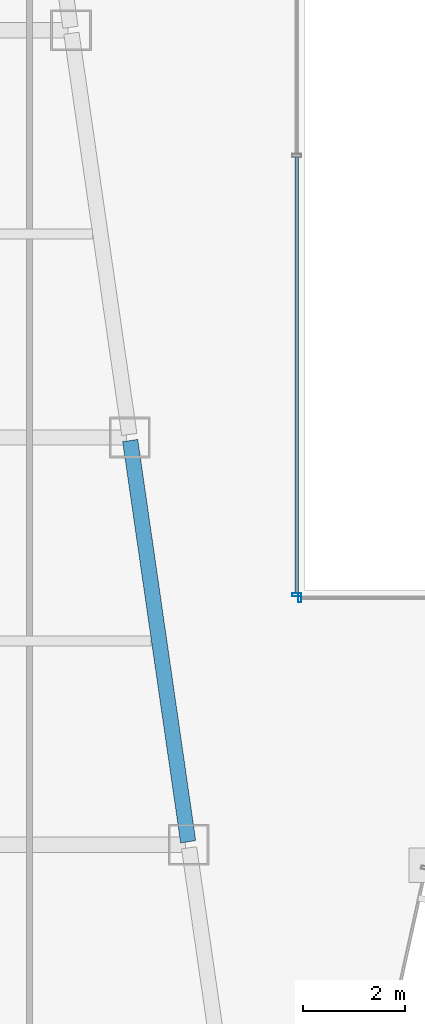
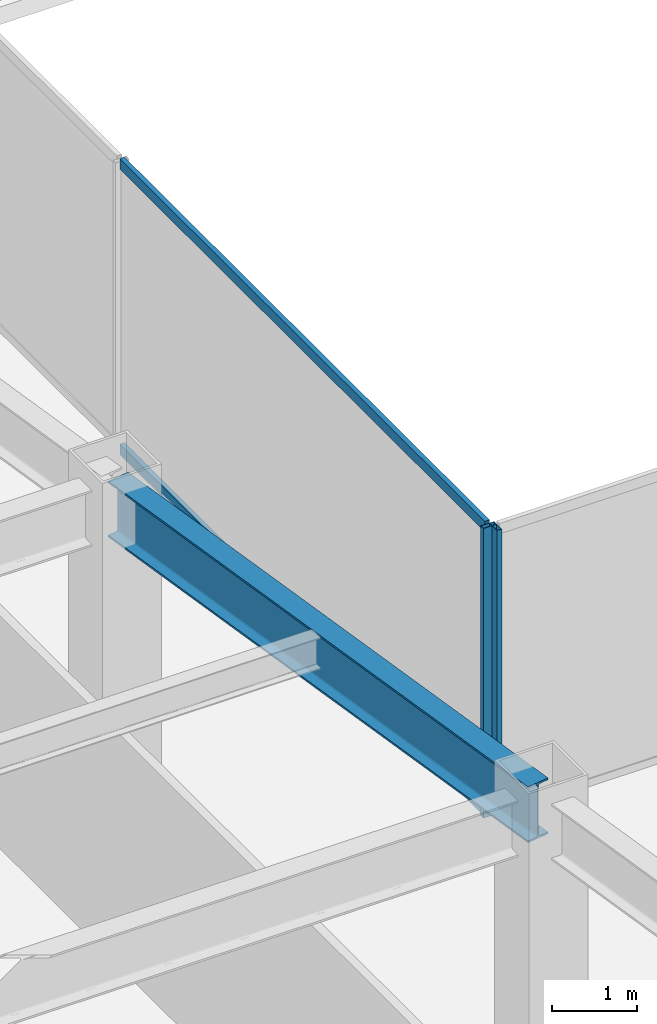
# One storey, part 12 of 47: 4 members, 1 beam, 2 elements without a shape of their own.
"""IFC4 building model written with IfcOpenShell, lengths in metres."""

from ifc_helpers import new_model, si_unit, direction, frame, origin, origin_2d, place, context, subcontext, project, spatial, hollow_rectangle, i_section, extrude, material, material_profile, profile_set, type_object, element, aggregate, save


model = new_model("IFC4")

# Units and contexts
model_context = context("Model", 3, precision=1e-05, world=origin(), true_north=direction((0.0, 1.0)))
body_context = subcontext(model_context, "Body", "Model", "MODEL_VIEW")
ifc_project = project(units=[si_unit("LENGTHUNIT", "METRE"), si_unit("AREAUNIT", "SQUARE_METRE"), si_unit("VOLUMEUNIT", "CUBIC_METRE"), si_unit("PLANEANGLEUNIT", "RADIAN"), si_unit("MASSUNIT", "GRAM", prefix="KILO")], contexts=[model_context])

# Site, building, storey
site_placement = place(None, origin())
site = spatial("IfcSite", under=ifc_project, at=site_placement, CompositionType="ELEMENT")
building_placement = place(site_placement, origin())
building = spatial("IfcBuilding", under=site, at=building_placement, Name="Saevonmaru Cultural Tower", CompositionType="ELEMENT")
storey_placement = place(building_placement, frame((0.0, 0.0, 42.800048828125)))
storey = spatial("IfcBuildingStorey", under=building, at=storey_placement, Name="L08", CompositionType="ELEMENT", Elevation=42.800048828125)

# Beam
ifc_material_1 = material(Name="Steel SM420", Category="steel")
ifc_material_profile_1 = material_profile(ifc_material_1, i_section(OverallWidth=0.300048828125, OverallDepth=0.800048828125, WebThickness=0.013916015625, FlangeThickness=0.02587890625, FilletRadius=0.028076171875, at=origin_2d()), Name="H-800x300x14x26")
ifc_profile_set_1 = profile_set([ifc_material_profile_1], Name="Steel SM420")
beam_type = type_object("IfcBeamType", Name="BM-G-H800", PredefinedType="BEAM", material=ifc_profile_set_1)
beam_placement = place(storey_placement, frame((21.91943359375, 16.059326171875, 3.75), z_axis=(-0.143022161059, 0.989719486241, 0.0), x_axis=(-0.989719486241, -0.143022161059, 0.0)))
element("IfcBeam", 1, at=beam_placement, inside=storey, type_object=beam_type, Name="L08 West Atrium Girder 3", PredefinedType="BEAM", context=body_context, shape_type="SweptSolid", body=[
    extrude(i_section(OverallWidth=0.300048828125, OverallDepth=0.800048828125, WebThickness=0.013916015625, FlangeThickness=0.02587890625, FilletRadius=0.028076171875, at=origin_2d()), origin(), (0.0, 0.0, 1.0), 7.963134765625),
])

# Curtain wall, member
ifc_material_2 = material(Name="Satin Bronze Anodised Aluminium", Category="aluminium")
curtain_wall_type = type_object("IfcCurtainWallType", Name="CW-ATR-GLZ", PredefinedType="NOTDEFINED", material=ifc_material_2)
curtain_wall_1_placement = place(storey_placement, origin())
curtain_wall_1 = element("IfcCurtainWall", 2, at=curtain_wall_1_placement, inside=storey, type_object=curtain_wall_type, Name="L08 Vertical Atrium Glazed Smoke Screen 1", PredefinedType="NOTDEFINED")
ifc_material_profile_2 = material_profile(ifc_material_2, hollow_rectangle(XDim=0.06494140625, YDim=0.179931640625, WallThickness=0.00390625, at=origin_2d()), Name="ALU-MULL-180x65x4")
ifc_profile_set_2 = profile_set([ifc_material_profile_2], Name="Satin Bronze Anodised Aluminium")
member_type_1 = type_object("IfcMemberType", Name="ML-CW-INT-180x65", PredefinedType="MULLION", material=ifc_profile_set_2)
member_1_placement = place(storey_placement, frame((24.110107421875, 20.85009765625, 0.0), z_axis=(0.0, 0.0, 1.0), x_axis=(1.0, 0.0, 0.0)))
member_1 = element("IfcMember", 3, at=member_1_placement, type_object=member_type_1, Name="CW-ATR-L08-1 mullion 1", PredefinedType="MULLION", context=body_context, shape_type="SweptSolid", body=[
    extrude(hollow_rectangle(XDim=0.06494140625, YDim=0.179931640625, WallThickness=0.00390625, at=origin_2d()), origin(), (0.0, 0.0, 1.0), 4.14990234375),
])
aggregate(curtain_wall_1, [member_1])

# Curtain wall, members
curtain_wall_2_placement = place(storey_placement, origin())
curtain_wall_2 = element("IfcCurtainWall", 4, at=curtain_wall_2_placement, inside=storey, type_object=curtain_wall_type, Name="L08 Vertical Atrium Glazed Smoke Screen 4", PredefinedType="NOTDEFINED")
member_2_placement = place(storey_placement, frame((24.050048828125, 20.909912109375, 0.0), z_axis=(0.0, 0.0, 1.0), x_axis=(0.0, -1.0, 0.0)))
member_2 = element("IfcMember", 5, at=member_2_placement, type_object=member_type_1, Name="CW-ATR-L08-4 mullion 3", PredefinedType="MULLION", context=body_context, shape_type="SweptSolid", body=[
    extrude(hollow_rectangle(XDim=0.06494140625, YDim=0.179931640625, WallThickness=0.00390625, at=origin_2d()), origin(), (0.0, 0.0, 1.0), 4.14990234375),
])
ifc_material_profile_3 = material_profile(ifc_material_2, hollow_rectangle(XDim=0.06494140625, YDim=0.14990234375, WallThickness=0.00390625, at=origin_2d()), Name="ALU-TRAN-150x65x4")
ifc_profile_set_3 = profile_set([ifc_material_profile_3], Name="Satin Bronze Anodised Aluminium")
member_type_2 = type_object("IfcMemberType", Name="TR-CW-INT-150x65", PredefinedType="USERDEFINED", material=ifc_profile_set_3)
member_3_placement = place(storey_placement, frame((24.050048828125, 29.507568359375, 0.032470703125), z_axis=(0.0, -1.0, 0.0), x_axis=(1.0, 0.0, 0.0)))
member_3 = element("IfcMember", 6, at=member_3_placement, type_object=member_type_2, Name="CW-ATR-L08-4 transom 2.1", ObjectType="TRANSOM", PredefinedType="USERDEFINED", context=body_context, shape_type="SweptSolid", body=[
    extrude(hollow_rectangle(XDim=0.06494140625, YDim=0.14990234375, WallThickness=0.00390625, at=origin_2d()), origin(), (0.0, 0.0, 1.0), 8.565185546875),
])
member_4_placement = place(storey_placement, frame((24.050048828125, 29.507568359375, 4.117431640625), z_axis=(0.0, -1.0, 0.0), x_axis=(1.0, 0.0, 0.0)))
member_4 = element("IfcMember", 7, at=member_4_placement, type_object=member_type_2, Name="CW-ATR-L08-4 transom 2.2", ObjectType="TRANSOM", PredefinedType="USERDEFINED", context=body_context, shape_type="SweptSolid", body=[
    extrude(hollow_rectangle(XDim=0.06494140625, YDim=0.14990234375, WallThickness=0.00390625, at=origin_2d()), origin(), (0.0, 0.0, 1.0), 8.565185546875),
])
aggregate(curtain_wall_2, [member_2, member_3, member_4])

save(model, "model.ifc")
